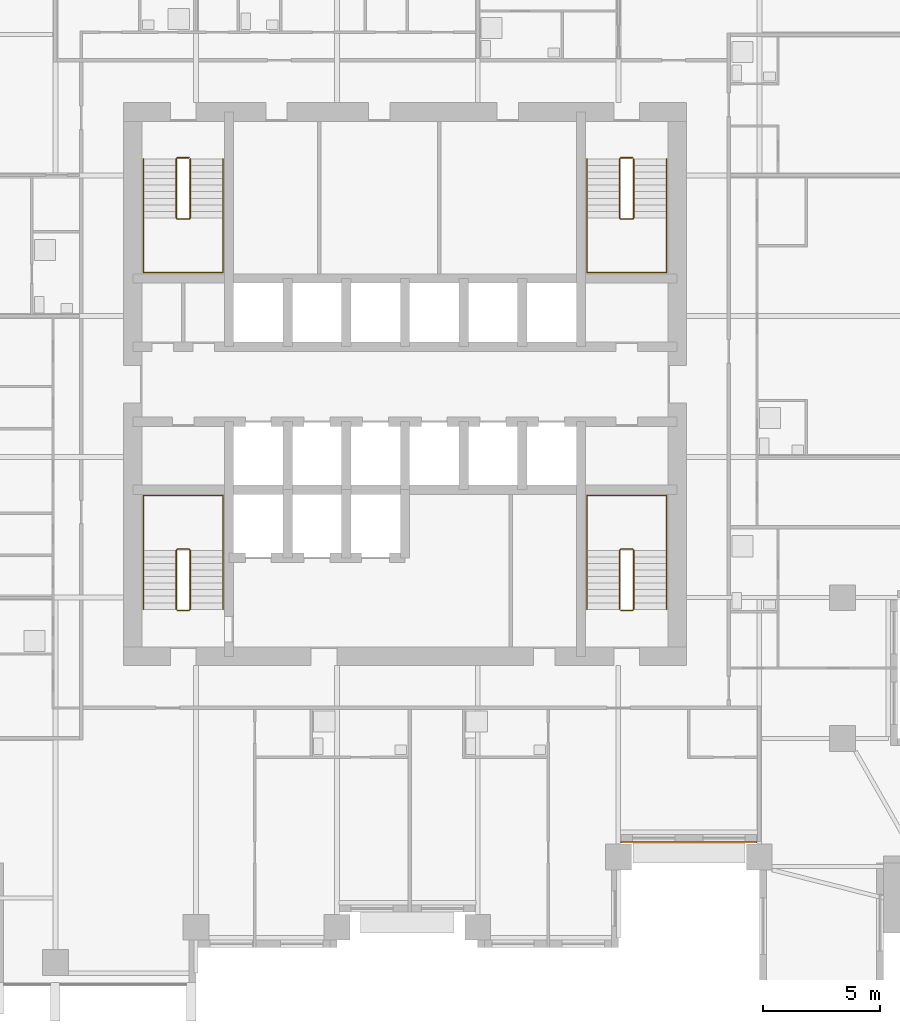
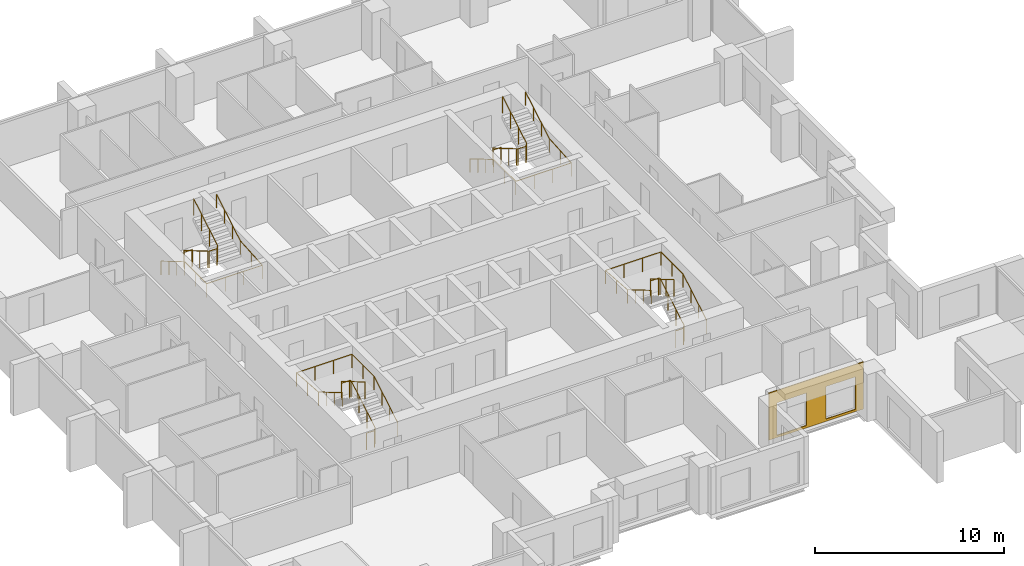
# One storey, part 9 of 10: 8 railings, 1 covering.
"""IFC4 building model written with IfcOpenShell, lengths in metres."""

from ifc_helpers import new_model, si_unit, direction, frame, origin, origin_2d, place, context, subcontext, project, spatial, polyline, circle, outline, extrude, material, layer, layer_set, type_object, element, save


model = new_model("IFC4")

# Units and contexts
model_context = context("Model", 3, precision=1e-05, world=origin(), true_north=direction((0.0, 1.0)))
body_context = subcontext(model_context, "Body", "Model", "MODEL_VIEW")
ifc_project = project(units=[si_unit("LENGTHUNIT", "METRE"), si_unit("AREAUNIT", "SQUARE_METRE"), si_unit("VOLUMEUNIT", "CUBIC_METRE"), si_unit("PLANEANGLEUNIT", "RADIAN"), si_unit("MASSUNIT", "GRAM", prefix="KILO")], contexts=[model_context])

# Site, building, storey
site_placement = place(None, origin())
site = spatial("IfcSite", under=ifc_project, at=site_placement, CompositionType="ELEMENT")
building_placement = place(site_placement, origin())
building = spatial("IfcBuilding", under=site, at=building_placement, Name="Amberfall Residences", CompositionType="ELEMENT")
storey_placement = place(building_placement, frame((0.0, 0.0, 118.300048828125)))
storey = spatial("IfcBuildingStorey", under=building, at=storey_placement, Name="L32", CompositionType="ELEMENT", Elevation=118.300048828125)

# Covering
ifc_material_1 = material(Name="Pale limestone cladding", Category="masonry")
ifc_layer = layer(ifc_material_1, 0.050048828125)
ifc_layer_set = layer_set([ifc_layer], Name="Limestone fascia 50")
covering_type = type_object("IfcCoveringType", Name="Limestone fascia 50", PredefinedType="CLADDING", material=ifc_layer_set)
covering_placement = place(storey_placement, frame((83.699951171875, 26.0, 3.050048828125), z_axis=(0.0, 1.0, 0.0), x_axis=(1.0, 0.0, 0.0)))
element("IfcCovering", 1, at=covering_placement, inside=storey, type_object=covering_type, Name="Pale limestone cladding L32 S", PredefinedType="CLADDING", context=body_context, shape_type="SweptSolid", body=[
    extrude(outline(polyline([(0.0, 0.0), (5.7900390625, 0.0), (5.7900390625, 3.050048828125), (0.0, 3.050048828125), (0.0, 0.0)]), holes=[polyline([(0.5, 0.800048828125), (2.300048828125, 0.800048828125), (2.300048828125, 2.900146484375), (0.5, 2.900146484375), (0.5, 0.800048828125)]), polyline([(3.5, 0.800048828125), (5.300048828125, 0.800048828125), (5.300048828125, 2.900146484375), (3.5, 2.900146484375), (3.5, 0.800048828125)])]), origin(), (0.0, 0.0, -1.0), 0.050048828125),
])

# Railings
ifc_material_2 = material(Name="Stainless steel 316", Category="steel")
railing_type_1 = type_object("IfcRailingType", Name="Stair guard 1100", PredefinedType="GUARDRAIL", material=ifc_material_2)
railing_1_placement = place(storey_placement, frame((64.800048828125, 35.85009765625, 0.0)))
element("IfcRailing", 2, at=railing_1_placement, inside=storey, type_object=railing_type_1, Name="L32 stair 1 guard", PredefinedType="GUARDRAIL", context=body_context, shape_type="SweptSolid", body=[
    extrude(circle(Radius=0.02392578125, at=origin_2d()), frame((0.0, 0.0, 1.076171875), z_axis=(1.0, 0.0, 0.0), x_axis=(0.0, 1.0, 0.0)), (0.0, 0.0, 1.0), 0.5),
    extrude(circle(Radius=0.02392578125, at=origin_2d()), frame((0.5, 0.0, 1.076171875), z_axis=(0.278810427259, 0.277450376394, 0.919394384522), x_axis=(-0.705375805398, 0.708833529934, 0.0)), (0.0, 0.0, 1.0), 0.179443359375),
    extrude(circle(Radius=0.02392578125, at=origin_2d()), frame((0.550048828125, 0.0498046875, 1.2412109375), z_axis=(0.0, 0.861560626758, 0.507654692109), x_axis=(-1.0, 0.0, 0.0)), (0.0, 0.0, 1.0), 2.925048828125),
    extrude(circle(Radius=0.02392578125, at=origin_2d()), frame((0.550048828125, 2.56982421875, 2.72607421875), z_axis=(-0.707106781187, 0.707106781187, 0.0), x_axis=(-0.707106781187, -0.707106781187, 0.0)), (0.0, 0.0, 1.0), 0.07080078125),
    extrude(circle(Radius=0.02392578125, at=origin_2d()), frame((0.5, 2.619873046875, 2.72607421875), z_axis=(-1.0, 0.0, 0.0), x_axis=(0.0, -1.0, 0.0)), (0.0, 0.0, 1.0), 0.5),
    extrude(circle(Radius=0.02392578125, at=origin_2d()), frame((0.0, 2.619873046875, 2.72607421875), z_axis=(-0.278705021027, -0.278705021027, 0.919046801044), x_axis=(0.707106781187, -0.707106781187, 0.0)), (0.0, 0.0, 1.0), 0.1796875),
    extrude(circle(Radius=0.02392578125, at=origin_2d()), frame((-0.050048828125, 2.56982421875, 2.89111328125), z_axis=(0.0, -0.86152411907, 0.507716645641), x_axis=(1.0, 0.0, 0.0)), (0.0, 0.0, 1.0), 2.925048828125),
    extrude(circle(Radius=0.02099609375, at=origin_2d()), origin(), (0.0, 0.0, 1.0), 1.052001953125),
    extrude(circle(Radius=0.02099609375, at=origin_2d()), frame((0.5, 0.0, 0.0)), (0.0, 0.0, 1.0), 1.052001953125),
    extrude(circle(Radius=0.02099609375, at=origin_2d()), frame((0.550048828125, 0.0498046875, 0.1650390625)), (0.0, 0.0, 1.0), 1.052001953125),
    extrude(circle(Radius=0.02099609375, at=origin_2d()), frame((0.550048828125, 0.889892578125, 0.659912109375)), (0.0, 0.0, 1.0), 1.052001953125),
    extrude(circle(Radius=0.02099609375, at=origin_2d()), frame((0.550048828125, 1.729736328125, 1.155029296875)), (0.0, 0.0, 1.0), 1.052001953125),
    extrude(circle(Radius=0.02099609375, at=origin_2d()), frame((0.550048828125, 2.56982421875, 1.64990234375)), (0.0, 0.0, 1.0), 1.052001953125),
    extrude(circle(Radius=0.02099609375, at=origin_2d()), frame((0.5, 2.619873046875, 1.64990234375)), (0.0, 0.0, 1.0), 1.052001953125),
    extrude(circle(Radius=0.02099609375, at=origin_2d()), frame((0.0, 2.619873046875, 1.64990234375)), (0.0, 0.0, 1.0), 1.052001953125),
    extrude(circle(Radius=0.02099609375, at=origin_2d()), frame((-0.050048828125, 2.56982421875, 1.81494140625)), (0.0, 0.0, 1.0), 1.052001953125),
    extrude(circle(Radius=0.02099609375, at=origin_2d()), frame((-0.050048828125, 1.729736328125, 2.31005859375)), (0.0, 0.0, 1.0), 1.052001953125),
    extrude(circle(Radius=0.02099609375, at=origin_2d()), frame((-0.050048828125, 0.889892578125, 2.804931640625)), (0.0, 0.0, 1.0), 1.052001953125),
    extrude(circle(Radius=0.02099609375, at=origin_2d()), frame((-0.050048828125, 0.0498046875, 3.300048828125)), (0.0, 0.0, 1.0), 1.052001953125),
])
railing_2_placement = place(storey_placement, frame((83.699951171875, 35.85009765625, 0.0)))
element("IfcRailing", 3, at=railing_2_placement, inside=storey, type_object=railing_type_1, Name="L32 stair 2 guard", PredefinedType="GUARDRAIL", context=body_context, shape_type="SweptSolid", body=[
    extrude(circle(Radius=0.02392578125, at=origin_2d()), frame((0.0, 0.0, 1.076171875), z_axis=(1.0, 0.0, 0.0), x_axis=(0.0, 1.0, 0.0)), (0.0, 0.0, 1.0), 0.5),
    extrude(circle(Radius=0.02392578125, at=origin_2d()), frame((0.5, 0.0, 1.076171875), z_axis=(0.278810427259, 0.277450376394, 0.919394384522), x_axis=(-0.705375805398, 0.708833529934, 0.0)), (0.0, 0.0, 1.0), 0.179443359375),
    extrude(circle(Radius=0.02392578125, at=origin_2d()), frame((0.550048828125, 0.0498046875, 1.2412109375), z_axis=(0.0, 0.861560626758, 0.507654692109), x_axis=(-1.0, 0.0, 0.0)), (0.0, 0.0, 1.0), 2.925048828125),
    extrude(circle(Radius=0.02392578125, at=origin_2d()), frame((0.550048828125, 2.56982421875, 2.72607421875), z_axis=(-0.707106781187, 0.707106781187, 0.0), x_axis=(-0.707106781187, -0.707106781187, 0.0)), (0.0, 0.0, 1.0), 0.07080078125),
    extrude(circle(Radius=0.02392578125, at=origin_2d()), frame((0.5, 2.619873046875, 2.72607421875), z_axis=(-1.0, 0.0, 0.0), x_axis=(0.0, -1.0, 0.0)), (0.0, 0.0, 1.0), 0.5),
    extrude(circle(Radius=0.02392578125, at=origin_2d()), frame((0.0, 2.619873046875, 2.72607421875), z_axis=(-0.278705021027, -0.278705021027, 0.919046801044), x_axis=(0.707106781187, -0.707106781187, 0.0)), (0.0, 0.0, 1.0), 0.1796875),
    extrude(circle(Radius=0.02392578125, at=origin_2d()), frame((-0.050048828125, 2.56982421875, 2.89111328125), z_axis=(0.0, -0.86152411907, 0.507716645641), x_axis=(1.0, 0.0, 0.0)), (0.0, 0.0, 1.0), 2.925048828125),
    extrude(circle(Radius=0.02099609375, at=origin_2d()), origin(), (0.0, 0.0, 1.0), 1.052001953125),
    extrude(circle(Radius=0.02099609375, at=origin_2d()), frame((0.5, 0.0, 0.0)), (0.0, 0.0, 1.0), 1.052001953125),
    extrude(circle(Radius=0.02099609375, at=origin_2d()), frame((0.550048828125, 0.0498046875, 0.1650390625)), (0.0, 0.0, 1.0), 1.052001953125),
    extrude(circle(Radius=0.02099609375, at=origin_2d()), frame((0.550048828125, 0.889892578125, 0.659912109375)), (0.0, 0.0, 1.0), 1.052001953125),
    extrude(circle(Radius=0.02099609375, at=origin_2d()), frame((0.550048828125, 1.729736328125, 1.155029296875)), (0.0, 0.0, 1.0), 1.052001953125),
    extrude(circle(Radius=0.02099609375, at=origin_2d()), frame((0.550048828125, 2.56982421875, 1.64990234375)), (0.0, 0.0, 1.0), 1.052001953125),
    extrude(circle(Radius=0.02099609375, at=origin_2d()), frame((0.5, 2.619873046875, 1.64990234375)), (0.0, 0.0, 1.0), 1.052001953125),
    extrude(circle(Radius=0.02099609375, at=origin_2d()), frame((0.0, 2.619873046875, 1.64990234375)), (0.0, 0.0, 1.0), 1.052001953125),
    extrude(circle(Radius=0.02099609375, at=origin_2d()), frame((-0.050048828125, 2.56982421875, 1.81494140625)), (0.0, 0.0, 1.0), 1.052001953125),
    extrude(circle(Radius=0.02099609375, at=origin_2d()), frame((-0.050048828125, 1.729736328125, 2.31005859375)), (0.0, 0.0, 1.0), 1.052001953125),
    extrude(circle(Radius=0.02099609375, at=origin_2d()), frame((-0.050048828125, 0.889892578125, 2.804931640625)), (0.0, 0.0, 1.0), 1.052001953125),
    extrude(circle(Radius=0.02099609375, at=origin_2d()), frame((-0.050048828125, 0.0498046875, 3.300048828125)), (0.0, 0.0, 1.0), 1.052001953125),
])
railing_3_placement = place(storey_placement, frame((84.199951171875, 55.14990234375, 0.0)))
element("IfcRailing", 4, at=railing_3_placement, inside=storey, type_object=railing_type_1, Name="L32 stair 3 guard", PredefinedType="GUARDRAIL", context=body_context, shape_type="SweptSolid", body=[
    extrude(circle(Radius=0.02392578125, at=origin_2d()), frame((0.0, 0.0, 1.076171875), z_axis=(-1.0, 0.0, 0.0), x_axis=(0.0, -1.0, 0.0)), (0.0, 0.0, 1.0), 0.5),
    extrude(circle(Radius=0.02392578125, at=origin_2d()), frame((-0.5, 0.0, 1.076171875), z_axis=(-0.278810427259, -0.277450376394, 0.919394384522), x_axis=(0.705375805398, -0.708833529934, 0.0)), (0.0, 0.0, 1.0), 0.179443359375),
    extrude(circle(Radius=0.02392578125, at=origin_2d()), frame((-0.550048828125, -0.0498046875, 1.2412109375), z_axis=(0.0, -0.861560626758, 0.507654692109), x_axis=(1.0, 0.0, 0.0)), (0.0, 0.0, 1.0), 2.925048828125),
    extrude(circle(Radius=0.02392578125, at=origin_2d()), frame((-0.550048828125, -2.56982421875, 2.72607421875), z_axis=(0.707106781187, -0.707106781187, 0.0), x_axis=(0.707106781187, 0.707106781187, 0.0)), (0.0, 0.0, 1.0), 0.07080078125),
    extrude(circle(Radius=0.02392578125, at=origin_2d()), frame((-0.5, -2.619873046875, 2.72607421875), z_axis=(1.0, 0.0, 0.0), x_axis=(0.0, 1.0, 0.0)), (0.0, 0.0, 1.0), 0.5),
    extrude(circle(Radius=0.02392578125, at=origin_2d()), frame((0.0, -2.619873046875, 2.72607421875), z_axis=(0.278705021027, 0.278705021027, 0.919046801044), x_axis=(-0.707106781187, 0.707106781187, 0.0)), (0.0, 0.0, 1.0), 0.1796875),
    extrude(circle(Radius=0.02392578125, at=origin_2d()), frame((0.050048828125, -2.56982421875, 2.89111328125), z_axis=(0.0, 0.86152411907, 0.507716645641), x_axis=(-1.0, 0.0, 0.0)), (0.0, 0.0, 1.0), 2.925048828125),
    extrude(circle(Radius=0.02099609375, at=origin_2d()), origin(), (0.0, 0.0, 1.0), 1.052001953125),
    extrude(circle(Radius=0.02099609375, at=origin_2d()), frame((-0.5, 0.0, 0.0)), (0.0, 0.0, 1.0), 1.052001953125),
    extrude(circle(Radius=0.02099609375, at=origin_2d()), frame((-0.550048828125, -0.0498046875, 0.1650390625)), (0.0, 0.0, 1.0), 1.052001953125),
    extrude(circle(Radius=0.02099609375, at=origin_2d()), frame((-0.550048828125, -0.889892578125, 0.659912109375)), (0.0, 0.0, 1.0), 1.052001953125),
    extrude(circle(Radius=0.02099609375, at=origin_2d()), frame((-0.550048828125, -1.729736328125, 1.155029296875)), (0.0, 0.0, 1.0), 1.052001953125),
    extrude(circle(Radius=0.02099609375, at=origin_2d()), frame((-0.550048828125, -2.56982421875, 1.64990234375)), (0.0, 0.0, 1.0), 1.052001953125),
    extrude(circle(Radius=0.02099609375, at=origin_2d()), frame((-0.5, -2.619873046875, 1.64990234375)), (0.0, 0.0, 1.0), 1.052001953125),
    extrude(circle(Radius=0.02099609375, at=origin_2d()), frame((0.0, -2.619873046875, 1.64990234375)), (0.0, 0.0, 1.0), 1.052001953125),
    extrude(circle(Radius=0.02099609375, at=origin_2d()), frame((0.050048828125, -2.56982421875, 1.81494140625)), (0.0, 0.0, 1.0), 1.052001953125),
    extrude(circle(Radius=0.02099609375, at=origin_2d()), frame((0.050048828125, -1.729736328125, 2.31005859375)), (0.0, 0.0, 1.0), 1.052001953125),
    extrude(circle(Radius=0.02099609375, at=origin_2d()), frame((0.050048828125, -0.889892578125, 2.804931640625)), (0.0, 0.0, 1.0), 1.052001953125),
    extrude(circle(Radius=0.02099609375, at=origin_2d()), frame((0.050048828125, -0.0498046875, 3.300048828125)), (0.0, 0.0, 1.0), 1.052001953125),
])
railing_4_placement = place(storey_placement, frame((65.300048828125, 55.14990234375, 0.0)))
element("IfcRailing", 5, at=railing_4_placement, inside=storey, type_object=railing_type_1, Name="L32 stair 4 guard", PredefinedType="GUARDRAIL", context=body_context, shape_type="SweptSolid", body=[
    extrude(circle(Radius=0.02392578125, at=origin_2d()), frame((0.0, 0.0, 1.076171875), z_axis=(-1.0, 0.0, 0.0), x_axis=(0.0, -1.0, 0.0)), (0.0, 0.0, 1.0), 0.5),
    extrude(circle(Radius=0.02392578125, at=origin_2d()), frame((-0.5, 0.0, 1.076171875), z_axis=(-0.278810427259, -0.277450376394, 0.919394384522), x_axis=(0.705375805398, -0.708833529934, 0.0)), (0.0, 0.0, 1.0), 0.179443359375),
    extrude(circle(Radius=0.02392578125, at=origin_2d()), frame((-0.550048828125, -0.0498046875, 1.2412109375), z_axis=(0.0, -0.861560626758, 0.507654692109), x_axis=(1.0, 0.0, 0.0)), (0.0, 0.0, 1.0), 2.925048828125),
    extrude(circle(Radius=0.02392578125, at=origin_2d()), frame((-0.550048828125, -2.56982421875, 2.72607421875), z_axis=(0.707106781187, -0.707106781187, 0.0), x_axis=(0.707106781187, 0.707106781187, 0.0)), (0.0, 0.0, 1.0), 0.07080078125),
    extrude(circle(Radius=0.02392578125, at=origin_2d()), frame((-0.5, -2.619873046875, 2.72607421875), z_axis=(1.0, 0.0, 0.0), x_axis=(0.0, 1.0, 0.0)), (0.0, 0.0, 1.0), 0.5),
    extrude(circle(Radius=0.02392578125, at=origin_2d()), frame((0.0, -2.619873046875, 2.72607421875), z_axis=(0.278705021027, 0.278705021027, 0.919046801044), x_axis=(-0.707106781187, 0.707106781187, 0.0)), (0.0, 0.0, 1.0), 0.1796875),
    extrude(circle(Radius=0.02392578125, at=origin_2d()), frame((0.050048828125, -2.56982421875, 2.89111328125), z_axis=(0.0, 0.86152411907, 0.507716645641), x_axis=(-1.0, 0.0, 0.0)), (0.0, 0.0, 1.0), 2.925048828125),
    extrude(circle(Radius=0.02099609375, at=origin_2d()), origin(), (0.0, 0.0, 1.0), 1.052001953125),
    extrude(circle(Radius=0.02099609375, at=origin_2d()), frame((-0.5, 0.0, 0.0)), (0.0, 0.0, 1.0), 1.052001953125),
    extrude(circle(Radius=0.02099609375, at=origin_2d()), frame((-0.550048828125, -0.0498046875, 0.1650390625)), (0.0, 0.0, 1.0), 1.052001953125),
    extrude(circle(Radius=0.02099609375, at=origin_2d()), frame((-0.550048828125, -0.889892578125, 0.659912109375)), (0.0, 0.0, 1.0), 1.052001953125),
    extrude(circle(Radius=0.02099609375, at=origin_2d()), frame((-0.550048828125, -1.729736328125, 1.155029296875)), (0.0, 0.0, 1.0), 1.052001953125),
    extrude(circle(Radius=0.02099609375, at=origin_2d()), frame((-0.550048828125, -2.56982421875, 1.64990234375)), (0.0, 0.0, 1.0), 1.052001953125),
    extrude(circle(Radius=0.02099609375, at=origin_2d()), frame((-0.5, -2.619873046875, 1.64990234375)), (0.0, 0.0, 1.0), 1.052001953125),
    extrude(circle(Radius=0.02099609375, at=origin_2d()), frame((0.0, -2.619873046875, 1.64990234375)), (0.0, 0.0, 1.0), 1.052001953125),
    extrude(circle(Radius=0.02099609375, at=origin_2d()), frame((0.050048828125, -2.56982421875, 1.81494140625)), (0.0, 0.0, 1.0), 1.052001953125),
    extrude(circle(Radius=0.02099609375, at=origin_2d()), frame((0.050048828125, -1.729736328125, 2.31005859375)), (0.0, 0.0, 1.0), 1.052001953125),
    extrude(circle(Radius=0.02099609375, at=origin_2d()), frame((0.050048828125, -0.889892578125, 2.804931640625)), (0.0, 0.0, 1.0), 1.052001953125),
    extrude(circle(Radius=0.02099609375, at=origin_2d()), frame((0.050048828125, -0.0498046875, 3.300048828125)), (0.0, 0.0, 1.0), 1.052001953125),
])
railing_type_2 = type_object("IfcRailingType", Name="Stair handrail 900", PredefinedType="HANDRAIL", material=ifc_material_2)
railing_5_placement = place(storey_placement, frame((66.75, 35.89990234375, 0.1650390625)))
element("IfcRailing", 6, at=railing_5_placement, inside=storey, type_object=railing_type_2, Name="L32 stair 1 handrail", PredefinedType="HANDRAIL", context=body_context, shape_type="SweptSolid", body=[
    extrude(circle(Radius=0.02392578125, at=origin_2d()), frame((0.0, 0.0, 0.8759765625), z_axis=(0.0, 0.861560626758, 0.507654692109), x_axis=(-1.0, 0.0, 0.0)), (0.0, 0.0, 1.0), 2.925048828125),
    extrude(circle(Radius=0.02392578125, at=origin_2d()), frame((0.0, 2.52001953125, 2.36083984375), z_axis=(0.0, 1.0, 0.0), x_axis=(-1.0, 0.0, 0.0)), (0.0, 0.0, 1.0), 2.330078125),
    extrude(circle(Radius=0.02392578125, at=origin_2d()), frame((0.0, 4.85009765625, 2.36083984375), z_axis=(-1.0, 0.0, 0.0), x_axis=(0.0, -1.0, 0.0)), (0.0, 0.0, 1.0), 3.39990234375),
    extrude(circle(Radius=0.02392578125, at=origin_2d()), frame((-3.39990234375, 4.85009765625, 2.36083984375), z_axis=(0.0, -0.997500965899, 0.07065283455), x_axis=(1.0, 0.0, 0.0)), (0.0, 0.0, 1.0), 2.3359375),
    extrude(circle(Radius=0.02392578125, at=origin_2d()), frame((-3.39990234375, 2.52001953125, 2.52587890625), z_axis=(0.0, -0.86152411907, 0.507716645641), x_axis=(1.0, 0.0, 0.0)), (0.0, 0.0, 1.0), 2.925048828125),
    extrude(circle(Radius=0.02099609375, at=origin_2d()), origin(), (0.0, 0.0, 1.0), 0.851806640625),
    extrude(circle(Radius=0.02099609375, at=origin_2d()), frame((0.0, 0.840087890625, 0.494873046875)), (0.0, 0.0, 1.0), 0.851806640625),
    extrude(circle(Radius=0.02099609375, at=origin_2d()), frame((0.0, 1.679931640625, 0.989990234375)), (0.0, 0.0, 1.0), 0.851806640625),
    extrude(circle(Radius=0.02099609375, at=origin_2d()), frame((0.0, 2.52001953125, 1.48486328125)), (0.0, 0.0, 1.0), 0.851806640625),
    extrude(circle(Radius=0.02099609375, at=origin_2d()), frame((0.0, 3.68505859375, 1.48486328125)), (0.0, 0.0, 1.0), 0.851806640625),
    extrude(circle(Radius=0.02099609375, at=origin_2d()), frame((0.0, 4.85009765625, 1.48486328125)), (0.0, 0.0, 1.0), 0.851806640625),
    extrude(circle(Radius=0.02099609375, at=origin_2d()), frame((-1.13330078125, 4.85009765625, 1.48486328125)), (0.0, 0.0, 1.0), 0.851806640625),
    extrude(circle(Radius=0.02099609375, at=origin_2d()), frame((-2.2666015625, 4.85009765625, 1.48486328125)), (0.0, 0.0, 1.0), 0.851806640625),
    extrude(circle(Radius=0.02099609375, at=origin_2d()), frame((-3.39990234375, 4.85009765625, 1.48486328125)), (0.0, 0.0, 1.0), 0.851806640625),
    extrude(circle(Radius=0.02099609375, at=origin_2d()), frame((-3.39990234375, 3.68505859375, 1.5673828125)), (0.0, 0.0, 1.0), 0.851806640625),
    extrude(circle(Radius=0.02099609375, at=origin_2d()), frame((-3.39990234375, 2.52001953125, 1.64990234375)), (0.0, 0.0, 1.0), 0.851806640625),
    extrude(circle(Radius=0.02099609375, at=origin_2d()), frame((-3.39990234375, 1.679931640625, 2.14501953125)), (0.0, 0.0, 1.0), 0.851806640625),
    extrude(circle(Radius=0.02099609375, at=origin_2d()), frame((-3.39990234375, 0.840087890625, 2.639892578125)), (0.0, 0.0, 1.0), 0.851806640625),
    extrude(circle(Radius=0.02099609375, at=origin_2d()), frame((-3.39990234375, 0.0, 3.135009765625)), (0.0, 0.0, 1.0), 0.851806640625),
])
railing_6_placement = place(storey_placement, frame((85.64990234375, 35.89990234375, 0.1650390625)))
element("IfcRailing", 7, at=railing_6_placement, inside=storey, type_object=railing_type_2, Name="L32 stair 2 handrail", PredefinedType="HANDRAIL", context=body_context, shape_type="SweptSolid", body=[
    extrude(circle(Radius=0.02392578125, at=origin_2d()), frame((0.0, 0.0, 0.8759765625), z_axis=(0.0, 0.861560626758, 0.507654692109), x_axis=(-1.0, 0.0, 0.0)), (0.0, 0.0, 1.0), 2.925048828125),
    extrude(circle(Radius=0.02392578125, at=origin_2d()), frame((0.0, 2.52001953125, 2.36083984375), z_axis=(0.0, 1.0, 0.0), x_axis=(-1.0, 0.0, 0.0)), (0.0, 0.0, 1.0), 2.330078125),
    extrude(circle(Radius=0.02392578125, at=origin_2d()), frame((0.0, 4.85009765625, 2.36083984375), z_axis=(-1.0, 0.0, 0.0), x_axis=(0.0, -1.0, 0.0)), (0.0, 0.0, 1.0), 3.39990234375),
    extrude(circle(Radius=0.02392578125, at=origin_2d()), frame((-3.39990234375, 4.85009765625, 2.36083984375), z_axis=(0.0, -0.997500965899, 0.07065283455), x_axis=(1.0, 0.0, 0.0)), (0.0, 0.0, 1.0), 2.3359375),
    extrude(circle(Radius=0.02392578125, at=origin_2d()), frame((-3.39990234375, 2.52001953125, 2.52587890625), z_axis=(0.0, -0.86152411907, 0.507716645641), x_axis=(1.0, 0.0, 0.0)), (0.0, 0.0, 1.0), 2.925048828125),
    extrude(circle(Radius=0.02099609375, at=origin_2d()), origin(), (0.0, 0.0, 1.0), 0.851806640625),
    extrude(circle(Radius=0.02099609375, at=origin_2d()), frame((0.0, 0.840087890625, 0.494873046875)), (0.0, 0.0, 1.0), 0.851806640625),
    extrude(circle(Radius=0.02099609375, at=origin_2d()), frame((0.0, 1.679931640625, 0.989990234375)), (0.0, 0.0, 1.0), 0.851806640625),
    extrude(circle(Radius=0.02099609375, at=origin_2d()), frame((0.0, 2.52001953125, 1.48486328125)), (0.0, 0.0, 1.0), 0.851806640625),
    extrude(circle(Radius=0.02099609375, at=origin_2d()), frame((0.0, 3.68505859375, 1.48486328125)), (0.0, 0.0, 1.0), 0.851806640625),
    extrude(circle(Radius=0.02099609375, at=origin_2d()), frame((0.0, 4.85009765625, 1.48486328125)), (0.0, 0.0, 1.0), 0.851806640625),
    extrude(circle(Radius=0.02099609375, at=origin_2d()), frame((-1.13330078125, 4.85009765625, 1.48486328125)), (0.0, 0.0, 1.0), 0.851806640625),
    extrude(circle(Radius=0.02099609375, at=origin_2d()), frame((-2.2666015625, 4.85009765625, 1.48486328125)), (0.0, 0.0, 1.0), 0.851806640625),
    extrude(circle(Radius=0.02099609375, at=origin_2d()), frame((-3.39990234375, 4.85009765625, 1.48486328125)), (0.0, 0.0, 1.0), 0.851806640625),
    extrude(circle(Radius=0.02099609375, at=origin_2d()), frame((-3.39990234375, 3.68505859375, 1.5673828125)), (0.0, 0.0, 1.0), 0.851806640625),
    extrude(circle(Radius=0.02099609375, at=origin_2d()), frame((-3.39990234375, 2.52001953125, 1.64990234375)), (0.0, 0.0, 1.0), 0.851806640625),
    extrude(circle(Radius=0.02099609375, at=origin_2d()), frame((-3.39990234375, 1.679931640625, 2.14501953125)), (0.0, 0.0, 1.0), 0.851806640625),
    extrude(circle(Radius=0.02099609375, at=origin_2d()), frame((-3.39990234375, 0.840087890625, 2.639892578125)), (0.0, 0.0, 1.0), 0.851806640625),
    extrude(circle(Radius=0.02099609375, at=origin_2d()), frame((-3.39990234375, 0.0, 3.135009765625)), (0.0, 0.0, 1.0), 0.851806640625),
])
railing_7_placement = place(storey_placement, frame((82.25, 55.10009765625, 0.1650390625)))
element("IfcRailing", 8, at=railing_7_placement, inside=storey, type_object=railing_type_2, Name="L32 stair 3 handrail", PredefinedType="HANDRAIL", context=body_context, shape_type="SweptSolid", body=[
    extrude(circle(Radius=0.02392578125, at=origin_2d()), frame((0.0, 0.0, 0.8759765625), z_axis=(0.0, -0.861560626758, 0.507654692109), x_axis=(1.0, 0.0, 0.0)), (0.0, 0.0, 1.0), 2.925048828125),
    extrude(circle(Radius=0.02392578125, at=origin_2d()), frame((0.0, -2.52001953125, 2.36083984375), z_axis=(0.0, -1.0, 0.0), x_axis=(1.0, 0.0, 0.0)), (0.0, 0.0, 1.0), 2.330078125),
    extrude(circle(Radius=0.02392578125, at=origin_2d()), frame((0.0, -4.85009765625, 2.36083984375), z_axis=(1.0, 0.0, 0.0), x_axis=(0.0, 1.0, 0.0)), (0.0, 0.0, 1.0), 3.39990234375),
    extrude(circle(Radius=0.02392578125, at=origin_2d()), frame((3.39990234375, -4.85009765625, 2.36083984375), z_axis=(0.0, 0.997500965899, 0.07065283455), x_axis=(-1.0, 0.0, 0.0)), (0.0, 0.0, 1.0), 2.3359375),
    extrude(circle(Radius=0.02392578125, at=origin_2d()), frame((3.39990234375, -2.52001953125, 2.52587890625), z_axis=(0.0, 0.86152411907, 0.507716645641), x_axis=(-1.0, 0.0, 0.0)), (0.0, 0.0, 1.0), 2.925048828125),
    extrude(circle(Radius=0.02099609375, at=origin_2d()), origin(), (0.0, 0.0, 1.0), 0.851806640625),
    extrude(circle(Radius=0.02099609375, at=origin_2d()), frame((0.0, -0.840087890625, 0.494873046875)), (0.0, 0.0, 1.0), 0.851806640625),
    extrude(circle(Radius=0.02099609375, at=origin_2d()), frame((0.0, -1.679931640625, 0.989990234375)), (0.0, 0.0, 1.0), 0.851806640625),
    extrude(circle(Radius=0.02099609375, at=origin_2d()), frame((0.0, -2.52001953125, 1.48486328125)), (0.0, 0.0, 1.0), 0.851806640625),
    extrude(circle(Radius=0.02099609375, at=origin_2d()), frame((0.0, -3.68505859375, 1.48486328125)), (0.0, 0.0, 1.0), 0.851806640625),
    extrude(circle(Radius=0.02099609375, at=origin_2d()), frame((0.0, -4.85009765625, 1.48486328125)), (0.0, 0.0, 1.0), 0.851806640625),
    extrude(circle(Radius=0.02099609375, at=origin_2d()), frame((1.13330078125, -4.85009765625, 1.48486328125)), (0.0, 0.0, 1.0), 0.851806640625),
    extrude(circle(Radius=0.02099609375, at=origin_2d()), frame((2.2666015625, -4.85009765625, 1.48486328125)), (0.0, 0.0, 1.0), 0.851806640625),
    extrude(circle(Radius=0.02099609375, at=origin_2d()), frame((3.39990234375, -4.85009765625, 1.48486328125)), (0.0, 0.0, 1.0), 0.851806640625),
    extrude(circle(Radius=0.02099609375, at=origin_2d()), frame((3.39990234375, -3.68505859375, 1.5673828125)), (0.0, 0.0, 1.0), 0.851806640625),
    extrude(circle(Radius=0.02099609375, at=origin_2d()), frame((3.39990234375, -2.52001953125, 1.64990234375)), (0.0, 0.0, 1.0), 0.851806640625),
    extrude(circle(Radius=0.02099609375, at=origin_2d()), frame((3.39990234375, -1.679931640625, 2.14501953125)), (0.0, 0.0, 1.0), 0.851806640625),
    extrude(circle(Radius=0.02099609375, at=origin_2d()), frame((3.39990234375, -0.840087890625, 2.639892578125)), (0.0, 0.0, 1.0), 0.851806640625),
    extrude(circle(Radius=0.02099609375, at=origin_2d()), frame((3.39990234375, 0.0, 3.135009765625)), (0.0, 0.0, 1.0), 0.851806640625),
])
railing_8_placement = place(storey_placement, frame((63.35009765625, 55.10009765625, 0.1650390625)))
element("IfcRailing", 9, at=railing_8_placement, inside=storey, type_object=railing_type_2, Name="L32 stair 4 handrail", PredefinedType="HANDRAIL", context=body_context, shape_type="SweptSolid", body=[
    extrude(circle(Radius=0.02392578125, at=origin_2d()), frame((0.0, 0.0, 0.8759765625), z_axis=(0.0, -0.861560626758, 0.507654692109), x_axis=(1.0, 0.0, 0.0)), (0.0, 0.0, 1.0), 2.925048828125),
    extrude(circle(Radius=0.02392578125, at=origin_2d()), frame((0.0, -2.52001953125, 2.36083984375), z_axis=(0.0, -1.0, 0.0), x_axis=(1.0, 0.0, 0.0)), (0.0, 0.0, 1.0), 2.330078125),
    extrude(circle(Radius=0.02392578125, at=origin_2d()), frame((0.0, -4.85009765625, 2.36083984375), z_axis=(1.0, 0.0, 0.0), x_axis=(0.0, 1.0, 0.0)), (0.0, 0.0, 1.0), 3.39990234375),
    extrude(circle(Radius=0.02392578125, at=origin_2d()), frame((3.39990234375, -4.85009765625, 2.36083984375), z_axis=(0.0, 0.997500965899, 0.07065283455), x_axis=(-1.0, 0.0, 0.0)), (0.0, 0.0, 1.0), 2.3359375),
    extrude(circle(Radius=0.02392578125, at=origin_2d()), frame((3.39990234375, -2.52001953125, 2.52587890625), z_axis=(0.0, 0.86152411907, 0.507716645641), x_axis=(-1.0, 0.0, 0.0)), (0.0, 0.0, 1.0), 2.925048828125),
    extrude(circle(Radius=0.02099609375, at=origin_2d()), origin(), (0.0, 0.0, 1.0), 0.851806640625),
    extrude(circle(Radius=0.02099609375, at=origin_2d()), frame((0.0, -0.840087890625, 0.494873046875)), (0.0, 0.0, 1.0), 0.851806640625),
    extrude(circle(Radius=0.02099609375, at=origin_2d()), frame((0.0, -1.679931640625, 0.989990234375)), (0.0, 0.0, 1.0), 0.851806640625),
    extrude(circle(Radius=0.02099609375, at=origin_2d()), frame((0.0, -2.52001953125, 1.48486328125)), (0.0, 0.0, 1.0), 0.851806640625),
    extrude(circle(Radius=0.02099609375, at=origin_2d()), frame((0.0, -3.68505859375, 1.48486328125)), (0.0, 0.0, 1.0), 0.851806640625),
    extrude(circle(Radius=0.02099609375, at=origin_2d()), frame((0.0, -4.85009765625, 1.48486328125)), (0.0, 0.0, 1.0), 0.851806640625),
    extrude(circle(Radius=0.02099609375, at=origin_2d()), frame((1.13330078125, -4.85009765625, 1.48486328125)), (0.0, 0.0, 1.0), 0.851806640625),
    extrude(circle(Radius=0.02099609375, at=origin_2d()), frame((2.2666015625, -4.85009765625, 1.48486328125)), (0.0, 0.0, 1.0), 0.851806640625),
    extrude(circle(Radius=0.02099609375, at=origin_2d()), frame((3.39990234375, -4.85009765625, 1.48486328125)), (0.0, 0.0, 1.0), 0.851806640625),
    extrude(circle(Radius=0.02099609375, at=origin_2d()), frame((3.39990234375, -3.68505859375, 1.5673828125)), (0.0, 0.0, 1.0), 0.851806640625),
    extrude(circle(Radius=0.02099609375, at=origin_2d()), frame((3.39990234375, -2.52001953125, 1.64990234375)), (0.0, 0.0, 1.0), 0.851806640625),
    extrude(circle(Radius=0.02099609375, at=origin_2d()), frame((3.39990234375, -1.679931640625, 2.14501953125)), (0.0, 0.0, 1.0), 0.851806640625),
    extrude(circle(Radius=0.02099609375, at=origin_2d()), frame((3.39990234375, -0.840087890625, 2.639892578125)), (0.0, 0.0, 1.0), 0.851806640625),
    extrude(circle(Radius=0.02099609375, at=origin_2d()), frame((3.39990234375, 0.0, 3.135009765625)), (0.0, 0.0, 1.0), 0.851806640625),
])

save(model, "model.ifc")
